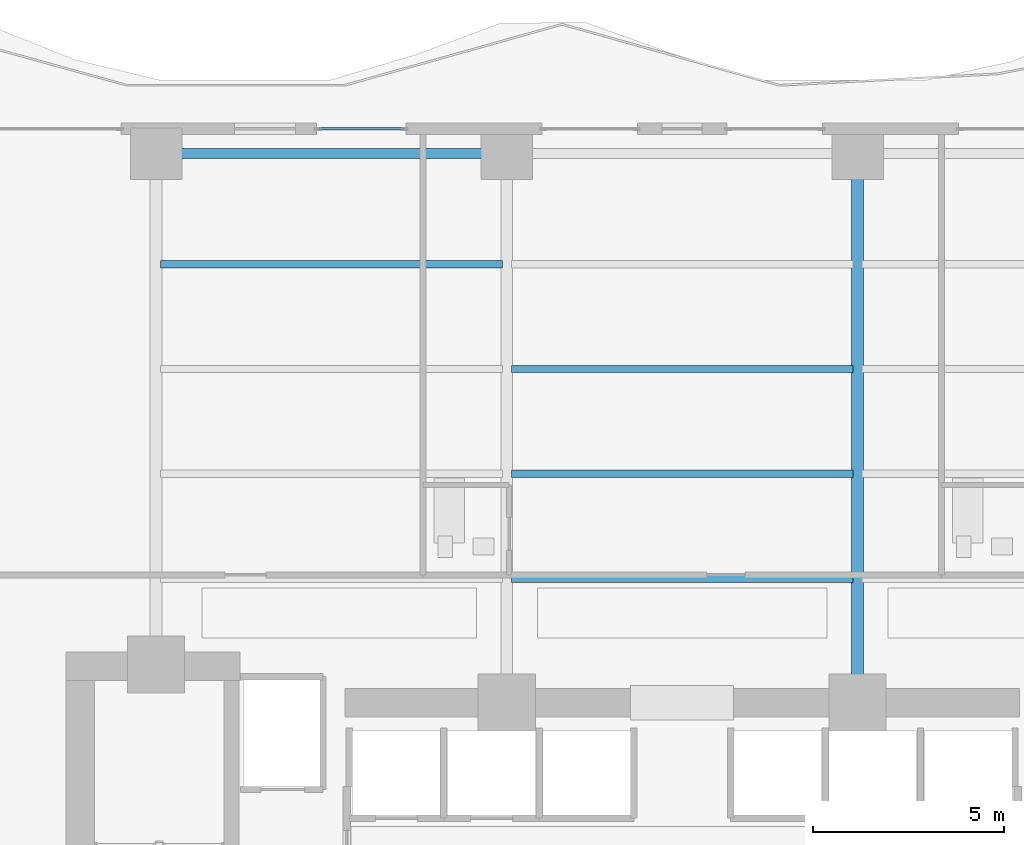
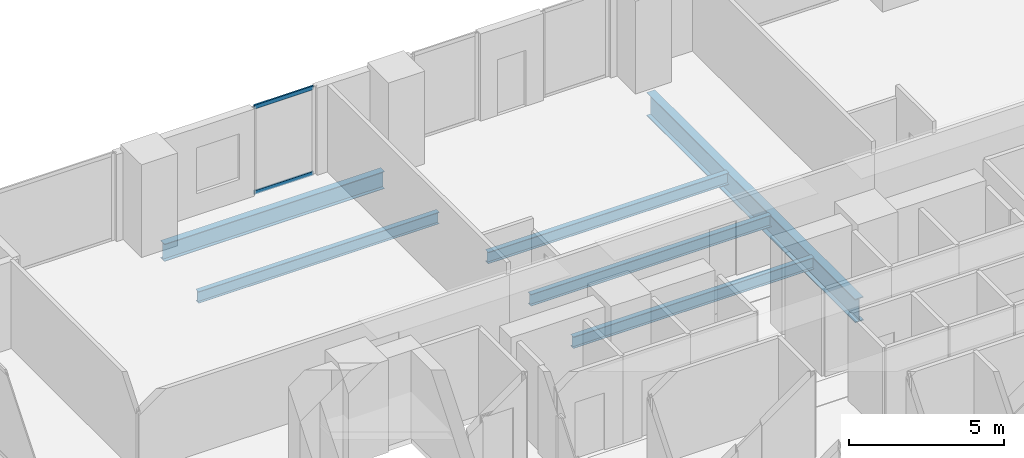
# One storey, part 16 of 28: 6 beams, 2 members, 1 element without a shape of its own.
"""IFC4 building model written with IfcOpenShell, lengths in metres."""

from ifc_helpers import new_model, si_unit, direction, frame, origin, origin_2d, place, context, subcontext, project, spatial, hollow_rectangle, i_section, extrude, material, layer, layer_set, material_profile, profile_set, type_object, element, aggregate, save


model = new_model("IFC4")

# Units and contexts
model_context = context("Model", 3, precision=1e-05, world=origin(), true_north=direction((0.0, 1.0)))
body_context = subcontext(model_context, "Body", "Model", "MODEL_VIEW")
ifc_project = project(units=[si_unit("LENGTHUNIT", "METRE"), si_unit("AREAUNIT", "SQUARE_METRE"), si_unit("VOLUMEUNIT", "CUBIC_METRE"), si_unit("PLANEANGLEUNIT", "RADIAN"), si_unit("MASSUNIT", "GRAM", prefix="KILO")], contexts=[model_context])

# Site, building, storey
site_placement = place(None, origin())
site = spatial("IfcSite", under=ifc_project, at=site_placement, CompositionType="ELEMENT")
building_placement = place(site_placement, origin())
building = spatial("IfcBuilding", under=site, at=building_placement, Name="Zuhayl Quay Hotel", CompositionType="ELEMENT")
storey_placement = place(building_placement, frame((0.0, 0.0, 143.10009765625)))
storey = spatial("IfcBuildingStorey", under=building, at=storey_placement, Name="L36", CompositionType="ELEMENT", Elevation=143.10009765625)

# Beams
ifc_material_1 = material(Name="Steel ASTM A992 Grade 50", Category="steel")
ifc_material_profile_1 = material_profile(ifc_material_1, i_section(OverallWidth=0.25390625, OverallDepth=0.68310546875, WebThickness=0.012451171875, FlangeThickness=0.018798828125, at=origin_2d()), Name="W27X94")
ifc_profile_set_1 = profile_set([ifc_material_profile_1], Name="Steel ASTM A992 Grade 50")
beam_type_1 = type_object("IfcBeamType", Name="BM_B2_W27X94", PredefinedType="BEAM", material=ifc_profile_set_1)
beam_1_placement = place(storey_placement, frame((-5.10009765625, 27.75, -0.5615234375), z_axis=(-1.0, 0.0, 0.0), x_axis=(0.0, -1.0, 0.0)))
element("IfcBeam", 1, at=beam_1_placement, inside=storey, type_object=beam_type_1, Name="L36 Floor Beam RG_L36_09", PredefinedType="BEAM", context=body_context, shape_type="SweptSolid", body=[
    extrude(i_section(OverallWidth=0.25390625, OverallDepth=0.68310546875, WebThickness=0.012451171875, FlangeThickness=0.018798828125, at=origin_2d()), origin(), (0.0, 0.0, 1.0), 8.199951171875),
])
ifc_material_profile_2 = material_profile(ifc_material_1, i_section(OverallWidth=0.18994140625, OverallDepth=0.45703125, WebThickness=0.009033203125, FlangeThickness=0.014404296875, at=origin_2d()), Name="W18X50")
ifc_profile_set_2 = profile_set([ifc_material_profile_2], Name="Steel ASTM A992 Grade 50")
beam_type_2 = type_object("IfcBeamType", Name="BM_J2_W18X50", PredefinedType="JOIST", material=ifc_profile_set_2)
for number, where, z_axis, x_axis, name in (
    (2, (-4.48095703125, 16.60009765625, -0.448486328125), (1.0, 0.0, 0.0), (0.0, 1.0, 0.0), "L36 Floor Beam FJ_L36_1_2"),
    (3, (-4.48095703125, 19.35009765625, -0.448486328125), (1.0, 0.0, 0.0), (0.0, 1.0, 0.0), "L36 Floor Beam FJ_L36_2_2"),
    (4, (-4.48095703125, 22.10009765625, -0.448486328125), (1.0, 0.0, 0.0), (0.0, 1.0, 0.0), "L36 Floor Beam FJ_L36_3_2"),
    (5, (-13.680908203125, 24.85009765625, -0.448486328125), (1.0, 0.0, 0.0), (0.0, 1.0, 0.0), "L36 Floor Beam FJ_L36_4_1"),
):
    element("IfcBeam", number, at=place(storey_placement, frame(where, z_axis=z_axis, x_axis=x_axis)), inside=storey, type_object=beam_type_2, Name=name, PredefinedType="JOIST", context=body_context, shape_type="SweptSolid", body=[
        extrude(i_section(OverallWidth=0.18994140625, OverallDepth=0.45703125, WebThickness=0.009033203125, FlangeThickness=0.014404296875, at=origin_2d()), origin(), (0.0, 0.0, 1.0), 8.9619140625),
    ])
ifc_material_profile_3 = material_profile(ifc_material_1, i_section(OverallWidth=0.306884765625, OverallDepth=0.927001953125, WebThickness=0.019287109375, FlangeThickness=0.031982421875, at=origin_2d()), Name="W36X194")
ifc_profile_set_3 = profile_set([ifc_material_profile_3], Name="Steel ASTM A992 Grade 50")
beam_type_3 = type_object("IfcBeamType", Name="BM_PG2_W36X194", PredefinedType="BEAM", material=ifc_profile_set_3)
beam_2_placement = place(storey_placement, frame((4.60009765625, 13.800048828125, -0.68359375), z_axis=(0.0, 1.0, 0.0), x_axis=(-1.0, 0.0, 0.0)))
element("IfcBeam", 6, at=beam_2_placement, inside=storey, type_object=beam_type_3, Name="L36 Floor Beam FG_N_L36_3", PredefinedType="BEAM", context=body_context, shape_type="SweptSolid", body=[
    extrude(i_section(OverallWidth=0.306884765625, OverallDepth=0.927001953125, WebThickness=0.019287109375, FlangeThickness=0.031982421875, at=origin_2d()), origin(), (0.0, 0.0, 1.0), 13.449951171875),
])

# Curtain wall, members
ifc_material_2 = material(Name="Anodised Aluminium 6063-T6", Category="aluminium")
ifc_layer = layer(ifc_material_2, 0.179931640625, Name="Anodised Aluminium 6063-T6", Category="aluminium")
ifc_layer_set = layer_set([ifc_layer], Name="Anodised Aluminium 6063-T6")
curtain_wall_type = type_object("IfcCurtainWallType", Name="CW_SYS_Z2", PredefinedType="USERDEFINED", material=ifc_layer_set)
curtain_wall_placement = place(storey_placement, origin())
curtain_wall = element("IfcCurtainWall", 7, at=curtain_wall_placement, inside=storey, type_object=curtain_wall_type, Name="L36 Curtain Wall ENV_L36_N_CW2", ObjectType="UNITISED CURTAIN WALL", PredefinedType="USERDEFINED")
ifc_material_3 = material(Name="Black-anodised aluminium 6063-T6", Category="aluminium")
ifc_material_profile_4 = material_profile(ifc_material_3, hollow_rectangle(XDim=0.06005859375, YDim=0.14990234375, WallThickness=0.00341796875, at=origin_2d()), Name="ALU150X60")
ifc_profile_set_4 = profile_set([ifc_material_profile_4], Name="Black-anodised aluminium 6063-T6")
member_type = type_object("IfcMemberType", Name="MB_CW_TRN_150", PredefinedType="USERDEFINED", material=ifc_profile_set_4)
member_1_placement = place(storey_placement, frame((-9.52490234375, 28.39990234375, 0.02978515625), z_axis=(1.0, 0.0, 0.0), x_axis=(0.0, 1.0, 0.0)))
member_1 = element("IfcMember", 8, at=member_1_placement, type_object=member_type, Name="CW-Z2 transom 1.1", ObjectType="TRANSOM", PredefinedType="USERDEFINED", context=body_context, shape_type="SweptSolid", body=[
    extrude(hollow_rectangle(XDim=0.06005859375, YDim=0.14990234375, WallThickness=0.00341796875, at=origin_2d()), origin(), (0.0, 0.0, 1.0), 2.2099609375),
])
member_2_placement = place(storey_placement, frame((-9.52490234375, 28.39990234375, 3.39990234375), z_axis=(1.0, 0.0, 0.0), x_axis=(0.0, 1.0, 0.0)))
member_2 = element("IfcMember", 9, at=member_2_placement, type_object=member_type, Name="CW-Z2 transom 1.2", ObjectType="TRANSOM", PredefinedType="USERDEFINED", context=body_context, shape_type="SweptSolid", body=[
    extrude(hollow_rectangle(XDim=0.06005859375, YDim=0.14990234375, WallThickness=0.00341796875, at=origin_2d()), origin(), (0.0, 0.0, 1.0), 2.2099609375),
])
aggregate(curtain_wall, [member_1, member_2])

save(model, "model.ifc")
